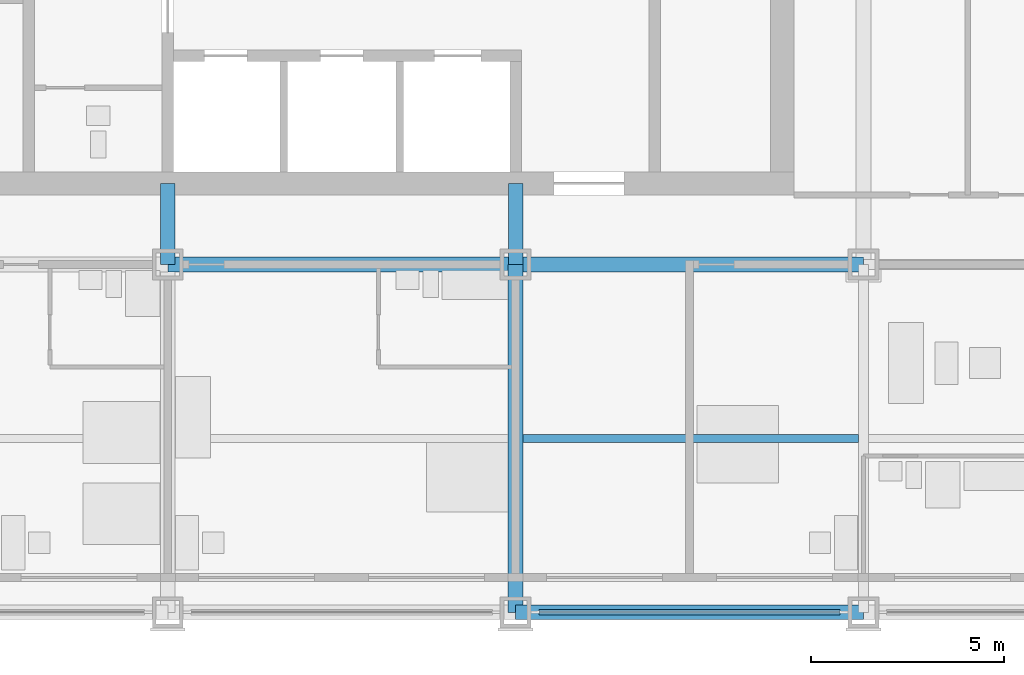
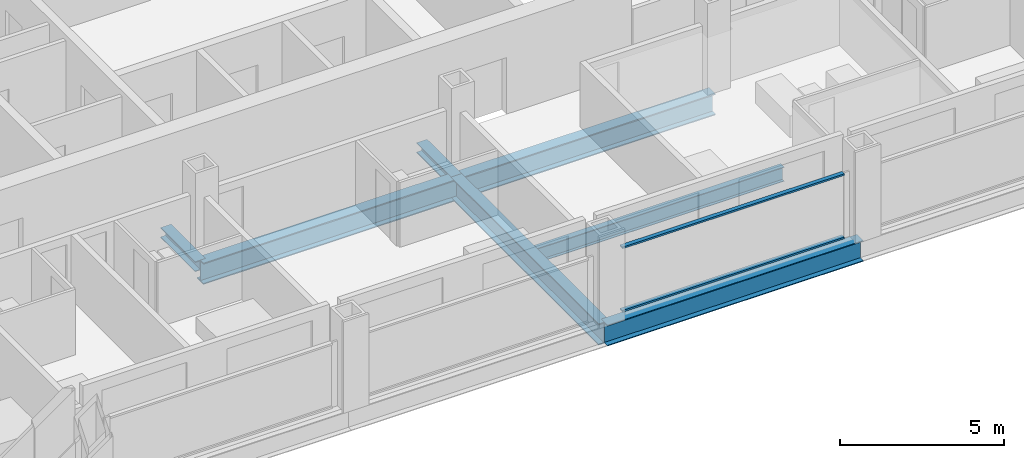
# One storey, part 3 of 18: 5 beams, 4 members, 1 element without a shape of its own.
"""IFC4 building model written with IfcOpenShell, lengths in metres."""

from ifc_helpers import new_model, si_unit, direction, frame, origin, origin_2d, place, context, subcontext, project, spatial, rectangle, i_section, extrude, material, material_profile, profile_set, type_object, element, aggregate, save


model = new_model("IFC4")

# Units and contexts
model_context = context("Model", 3, precision=1e-05, world=origin(), true_north=direction((0.0, 1.0)))
body_context = subcontext(model_context, "Body", "Model", "MODEL_VIEW")
ifc_project = project(units=[si_unit("LENGTHUNIT", "METRE"), si_unit("AREAUNIT", "SQUARE_METRE"), si_unit("VOLUMEUNIT", "CUBIC_METRE"), si_unit("PLANEANGLEUNIT", "RADIAN"), si_unit("MASSUNIT", "GRAM", prefix="KILO")], contexts=[model_context])

# Site, building, storey
site_placement = place(None, origin())
site = spatial("IfcSite", under=ifc_project, at=site_placement, CompositionType="ELEMENT")
building_placement = place(site_placement, origin())
building = spatial("IfcBuilding", under=site, at=building_placement, Name="Loomwork Tower", CompositionType="ELEMENT")
storey_placement = place(building_placement, frame((0.0, 0.0, 31.39990234375)))
storey = spatial("IfcBuildingStorey", under=building, at=storey_placement, Name="L06", CompositionType="ELEMENT", Elevation=31.39990234375)

# Beams
ifc_material_1 = material(Name="Steel ASTM A992", Category="steel")
ifc_material_profile_1 = material_profile(ifc_material_1, i_section(OverallWidth=0.383544921875, OverallDepth=0.794921875, WebThickness=0.02099609375, FlangeThickness=0.0380859375, at=origin_2d()), Name="W30x235")
ifc_profile_set_1 = profile_set([ifc_material_profile_1], Name="Steel ASTM A992")
beam_type_1 = type_object("IfcBeamType", Name="CORE FLANK GIRDER W30x235", PredefinedType="BEAM", material=ifc_profile_set_1)
for number, where, z_axis, x_axis, name in (
    (1, (18.0, 9.0, -0.597412109375), (1.0, 0.0, 0.0), (0.0, 1.0, 0.0), "Core Flank Girder E/4-E/5 L06"),
    (2, (27.0, 9.0, -0.597412109375), (1.0, 0.0, 0.0), (0.0, 1.0, 0.0), "Core Flank Girder E/5-E/6 L06"),
    (3, (27.0, 0.0, -0.597412109375), (0.0, 1.0, 0.0), (-1.0, 0.0, 0.0), "Core Flank Girder D/5-E/5 L06"),
):
    element("IfcBeam", number, at=place(storey_placement, frame(where, z_axis=z_axis, x_axis=x_axis)), inside=storey, type_object=beam_type_1, Name=name, PredefinedType="BEAM", context=body_context, shape_type="SweptSolid", body=[
        extrude(i_section(OverallWidth=0.383544921875, OverallDepth=0.794921875, WebThickness=0.02099609375, FlangeThickness=0.0380859375, at=origin_2d()), origin(), (0.0, 0.0, 1.0), 9.0),
    ])

# Members
ifc_material_2 = material(Name="Steel ASTM A992", Category="steel")
ifc_material_profile_2 = material_profile(ifc_material_2, i_section(OverallWidth=0.373291015625, OverallDepth=0.373291015625, WebThickness=0.016357421875, FlangeThickness=0.026123046875, at=origin_2d()), Name="W14x132")
ifc_profile_set_2 = profile_set([ifc_material_profile_2], Name="Steel ASTM A992")
member_type_1 = type_object("IfcMemberType", Name="CORE LINK STRUT W14x132", PredefinedType="STRUT", material=ifc_profile_set_2)
for number, where, z_axis, x_axis, name in (
    (4, (27.0, 9.0, -0.386474609375), (0.0, 1.0, 0.0), (-1.0, 0.0, 0.0), "Core link strut E/5-27.000,11.100 L06"),
    (5, (18.0, 9.0, -0.386474609375), (0.0, 1.0, 0.0), (-1.0, 0.0, 0.0), "Core link strut E/4-18.000,11.100 L06"),
):
    element("IfcMember", number, at=place(storey_placement, frame(where, z_axis=z_axis, x_axis=x_axis)), inside=storey, type_object=member_type_1, Name=name, PredefinedType="STRUT", context=body_context, shape_type="SweptSolid", body=[
        extrude(i_section(OverallWidth=0.373291015625, OverallDepth=0.373291015625, WebThickness=0.016357421875, FlangeThickness=0.026123046875, at=origin_2d()), origin(), (0.0, 0.0, 1.0), 2.10009765625),
    ])

# Beam
ifc_material_3 = material(Name="Steel ASTM A992", Category="steel")
ifc_material_profile_3 = material_profile(ifc_material_3, i_section(OverallWidth=0.2109375, OverallDepth=0.53857421875, WebThickness=0.011474609375, FlangeThickness=0.018798828125, at=origin_2d()), Name="W21x73")
ifc_profile_set_3 = profile_set([ifc_material_profile_3], Name="Steel ASTM A992")
beam_type_2 = type_object("IfcBeamType", Name="FLOOR JOIST W21x73", PredefinedType="JOIST", material=ifc_profile_set_3)
beam_1_placement = place(storey_placement, frame((27.19091796875, 4.5, -0.46923828125), z_axis=(1.0, 0.0, 0.0), x_axis=(0.0, 1.0, 0.0)))
element("IfcBeam", 6, at=beam_1_placement, inside=storey, type_object=beam_type_2, Name="Floor Joist 27.000,4.500-36.000,4.500 L06", PredefinedType="JOIST", context=body_context, shape_type="SweptSolid", body=[
    extrude(i_section(OverallWidth=0.2109375, OverallDepth=0.53857421875, WebThickness=0.011474609375, FlangeThickness=0.018798828125, at=origin_2d()), origin(), (0.0, 0.0, 1.0), 8.676025390625),
])

# Curtain wall, members
ifc_material_4 = material(Name="Aluminium curtain wall frame", Category="aluminium")
curtain_wall_type = type_object("IfcCurtainWallType", Name="Outer skin glazing hotel", PredefinedType="NOTDEFINED", material=ifc_material_4)
curtain_wall_placement = place(storey_placement, origin())
curtain_wall = element("IfcCurtainWall", 7, at=curtain_wall_placement, inside=storey, type_object=curtain_wall_type, Name="Outer skin glazing hotel cw/S-27", PredefinedType="NOTDEFINED")
ifc_material_5 = material(Name="Aluminium curtain wall frame", Category="aluminium")
ifc_material_profile_4 = material_profile(ifc_material_5, rectangle(XDim=0.14990234375, YDim=0.06494140625, at=origin_2d()), Name="AL 65x150")
ifc_profile_set_4 = profile_set([ifc_material_profile_4], Name="Aluminium curtain wall frame")
member_type_2 = type_object("IfcMemberType", Name="Outer skin glazing hotel transom", PredefinedType="USERDEFINED", material=ifc_profile_set_4)
member_1_placement = place(storey_placement, frame((27.60009765625, 0.0, 0.03271484375), z_axis=(1.0, 0.0, 0.0), x_axis=(0.0, 1.0, 0.0)))
member_1 = element("IfcMember", 8, at=member_1_placement, type_object=member_type_2, Name="CW1 transom 1.1", ObjectType="TRANSOM", PredefinedType="USERDEFINED", context=body_context, shape_type="SweptSolid", body=[
    extrude(rectangle(XDim=0.14990234375, YDim=0.06494140625, at=origin_2d()), origin(), (0.0, 0.0, 1.0), 7.7998046875),
])
member_2_placement = place(storey_placement, frame((27.60009765625, 0.0, 2.3876953125), z_axis=(1.0, 0.0, 0.0), x_axis=(0.0, 1.0, 0.0)))
member_2 = element("IfcMember", 9, at=member_2_placement, type_object=member_type_2, Name="CW1 transom 1.2", ObjectType="TRANSOM", PredefinedType="USERDEFINED", context=body_context, shape_type="SweptSolid", body=[
    extrude(rectangle(XDim=0.14990234375, YDim=0.06494140625, at=origin_2d()), origin(), (0.0, 0.0, 1.0), 7.7998046875),
])
aggregate(curtain_wall, [member_1, member_2])

# Beam
ifc_material_6 = material(Name="Steel ASTM A992", Category="steel")
ifc_material_profile_5 = material_profile(ifc_material_6, i_section(OverallWidth=0.381103515625, OverallDepth=0.77978515625, WebThickness=0.01806640625, FlangeThickness=0.0302734375, at=origin_2d()), Name="W30x191")
ifc_profile_set_5 = profile_set([ifc_material_profile_5], Name="Steel ASTM A992")
beam_type_3 = type_object("IfcBeamType", Name="SPANDREL GIRDER W30x191", PredefinedType="SPANDREL", material=ifc_profile_set_5)
beam_2_placement = place(storey_placement, frame((27.0, 0.0, -0.58984375), z_axis=(1.0, 0.0, 0.0), x_axis=(0.0, 1.0, 0.0)))
element("IfcBeam", 10, at=beam_2_placement, inside=storey, type_object=beam_type_3, Name="Spandrel Girder D/5-D/6 L06", PredefinedType="SPANDREL", context=body_context, shape_type="SweptSolid", body=[
    extrude(i_section(OverallWidth=0.381103515625, OverallDepth=0.77978515625, WebThickness=0.01806640625, FlangeThickness=0.0302734375, at=origin_2d()), origin(), (0.0, 0.0, 1.0), 9.0),
])

save(model, "model.ifc")
